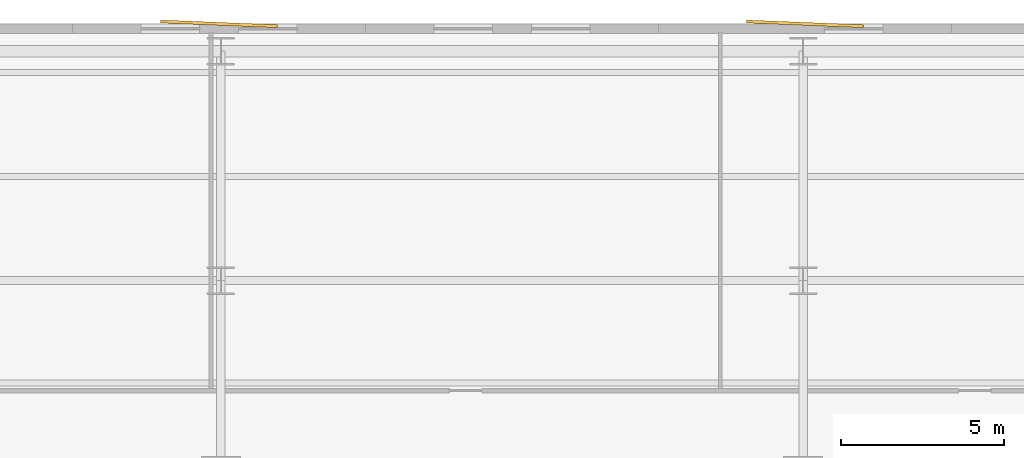
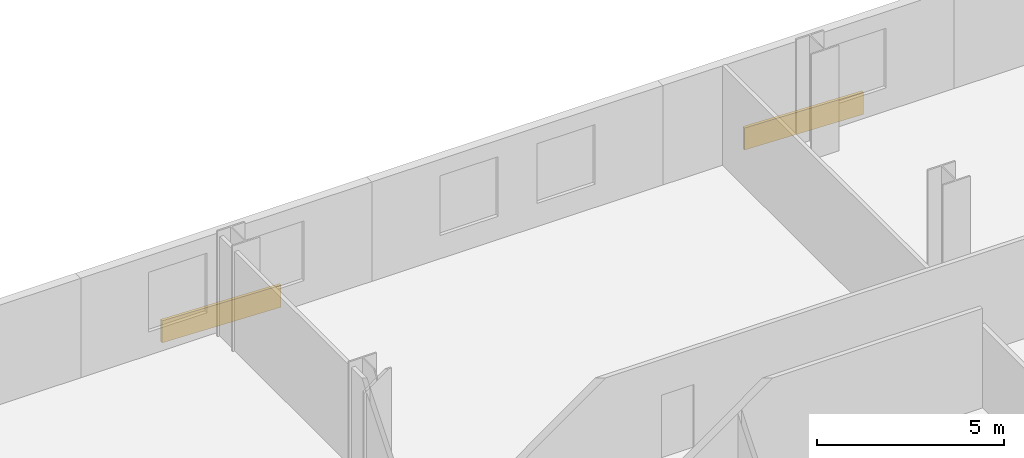
# One storey, part 10 of 10: 2 coverings.
"""IFC4 building model written with IfcOpenShell, lengths in metres."""

from ifc_helpers import new_model, si_unit, direction, frame, origin, origin_2d, place, context, subcontext, project, spatial, rectangle, extrude, material, layer, layer_set, type_object, element, save


model = new_model("IFC4")

# Units and contexts
model_context = context("Model", 3, precision=1e-05, world=origin(), true_north=direction((0.0, 1.0)))
body_context = subcontext(model_context, "Body", "Model", "MODEL_VIEW")
ifc_project = project(units=[si_unit("LENGTHUNIT", "METRE"), si_unit("AREAUNIT", "SQUARE_METRE"), si_unit("VOLUMEUNIT", "CUBIC_METRE"), si_unit("PLANEANGLEUNIT", "RADIAN"), si_unit("MASSUNIT", "GRAM", prefix="KILO")], contexts=[model_context])

# Site, building, storey
site_placement = place(None, origin())
site = spatial("IfcSite", under=ifc_project, at=site_placement, CompositionType="ELEMENT")
building_placement = place(site_placement, origin())
building = spatial("IfcBuilding", under=site, at=building_placement, Name="Velakula Bourse", CompositionType="ELEMENT")
storey_placement = place(building_placement, frame((0.0, 0.0, 48.449951171875)))
storey = spatial("IfcBuildingStorey", under=building, at=storey_placement, Name="L12", CompositionType="ELEMENT", Elevation=48.449951171875)

# Coverings
ifc_material = material(Name="Red kilned clay facing brick masonry", Category="masonry")
ifc_layer = layer(ifc_material, 0.090087890625, Name="Red kilned clay facing brick masonry", Category="masonry")
ifc_layer_set = layer_set([ifc_layer], Name="Red kilned clay facing brick masonry")
covering_type = type_object("IfcCoveringType", Name="COV-BRK-FOLD-90", PredefinedType="CLADDING", material=ifc_layer_set)
for number, where, z_axis, x_axis, name in (
    (1, (-9.0, 22.489990234375, 0.0), (0.0, 0.0, 1.0), (0.999158993058, -0.041003738744, 0.0), "L12 Folded Brick Facade Cladding Panel N-B2"),
    (2, (9.0, 22.489990234375, 0.0), (0.0, 0.0, 1.0), (0.999158993058, -0.041003738744, 0.0), "L12 Folded Brick Facade Cladding Panel N-B4"),
):
    element("IfcCovering", number, at=place(storey_placement, frame(where, z_axis=z_axis, x_axis=x_axis)), inside=storey, type_object=covering_type, Name=name, PredefinedType="CLADDING", context=body_context, shape_type="SweptSolid", body=[
        extrude(rectangle(XDim=3.60009765625, YDim=0.090087890625, at=origin_2d()), origin(), (0.0, 0.0, 1.0), 0.719970703125),
    ])

save(model, "model.ifc")
